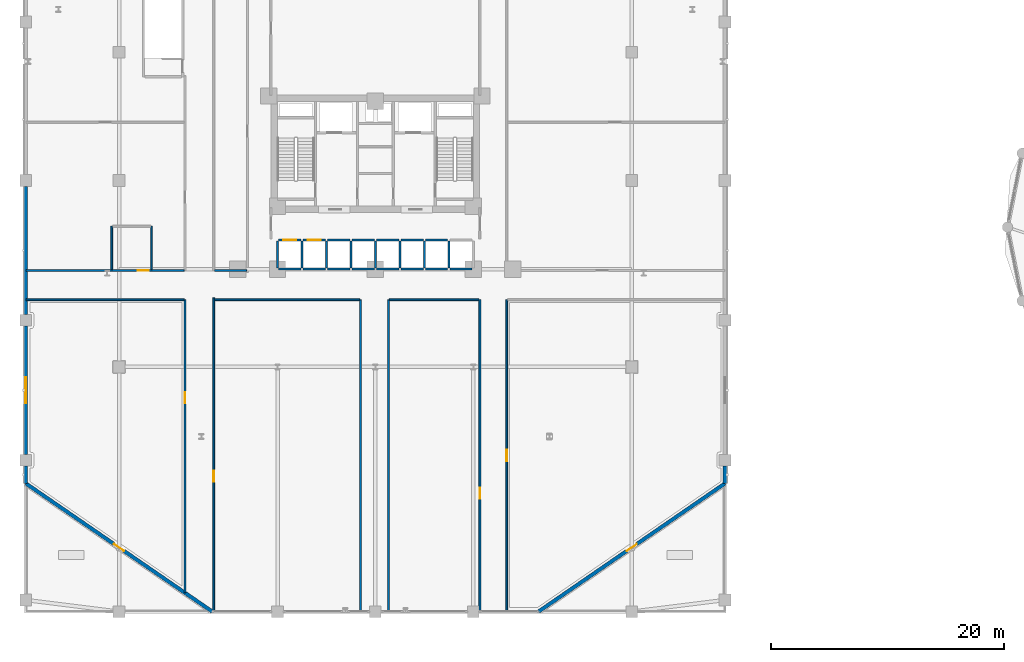
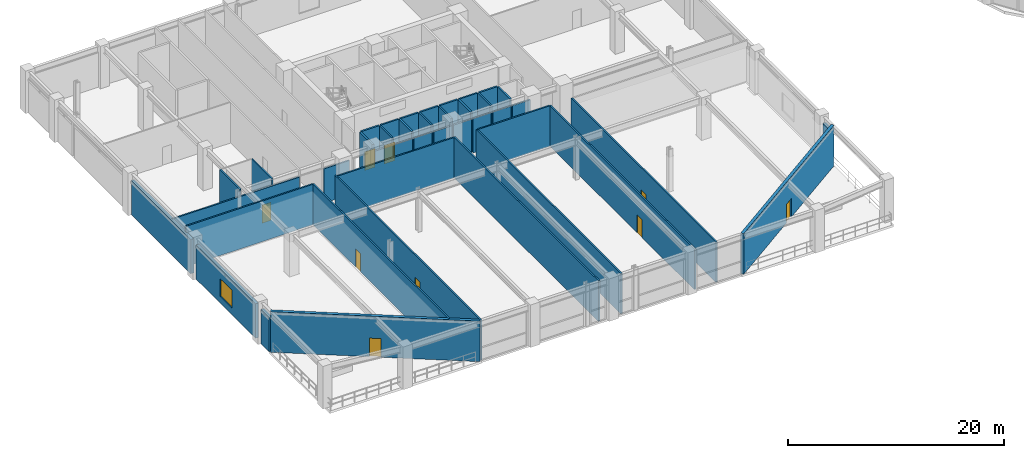
# One storey, part 15 of 26: 42 walls, 9 doors, 1 window, 10 openings.
"""IFC4 building model written with IfcOpenShell, lengths in metres."""

from ifc_helpers import new_model, si_unit, derived_unit, direction, frame, frame_2d, origin, place, context, subcontext, project, spatial, rectangle, extrude, material, layer, layer_set, type_object, element, fill, save


model = new_model("IFC4")

# Units and contexts
model_context = context("Model", 3, precision=1e-05, world=origin(), true_north=direction((0.0, 1.0)))
body_context = subcontext(model_context, "Body", "Model", "MODEL_VIEW")
ifc_project = project(units=[si_unit("LENGTHUNIT", "METRE"), si_unit("AREAUNIT", "SQUARE_METRE"), si_unit("VOLUMEUNIT", "CUBIC_METRE"), si_unit("PLANEANGLEUNIT", "RADIAN"), si_unit("MASSUNIT", "GRAM", prefix="KILO"), derived_unit("THERMALTRANSMITTANCEUNIT", [(si_unit("POWERUNIT", "WATT"), 1), (si_unit("LENGTHUNIT", "METRE"), -2), (si_unit("THERMODYNAMICTEMPERATUREUNIT", "KELVIN"), -1)])], contexts=[model_context])

# Site, building, storey
site_placement = place(None, origin())
site = spatial("IfcSite", under=ifc_project, at=site_placement, CompositionType="ELEMENT")
building_placement = place(site_placement, origin())
building = spatial("IfcBuilding", under=site, at=building_placement, Name="Korsvarv Bourse and Concert Hall", CompositionType="ELEMENT")
storey_placement = place(building_placement, frame((0.0, 0.0, 19.199951171875)))
storey = spatial("IfcBuildingStorey", under=building, at=storey_placement, Name="L04", CompositionType="ELEMENT", Elevation=19.199951171875)

# Wall, opening, door
ifc_material_1 = material(Name="Precast concrete C45/55 with granite and terracotta", Category="concrete")
ifc_layer_1 = layer(ifc_material_1, 0.320068359375)
ifc_layer_set_1 = layer_set([ifc_layer_1], Name="Precast concrete C45/55 with granite and terracotta")
wall_type_1 = type_object("IfcWallType", Name="WL-EXT-POD", PredefinedType="SOLIDWALL", material=ifc_layer_set_1)
wall_1_placement = place(storey_placement, frame((6.0, 14.0, 0.0), z_axis=(0.0, 0.0, 1.0), x_axis=(0.824041924199, -0.566528822887, 0.0)))
wall_1 = element("IfcWall", 1, at=wall_1_placement, inside=storey, type_object=wall_type_1, Name="L04 terracotta exterior wall EW-L04-G1", PredefinedType="SOLIDWALL", context=body_context, shape_type="SweptSolid", body=[
    extrude(rectangle(XDim=19.41650390625, YDim=0.320068359375, at=frame_2d((9.708251953125, 0.0))), origin(), (0.0, 0.0, 1.0), 4.580078125),
])
opening_1_placement = place(wall_1_placement, frame((9.18310546875, 0.0, 0.0)))
opening_1 = element("IfcOpeningElement", 2, at=opening_1_placement, cuts=wall_1, Name="Opening ED-02", PredefinedType="OPENING", context=body_context, shape_type="SweptSolid", body=[
    extrude(rectangle(XDim=1.050048828125, YDim=2.10009765625, at=frame_2d((0.52490234375, 1.050048828125))), frame((0.0, 0.169921875, 0.0), z_axis=(0.0, -1.0, 0.0), x_axis=(1.0, 0.0, 0.0)), (0.0, 0.0, 1.0), 0.340087890625),
])
ifc_material_2 = material(Name="Thermally broken anodised aluminium and laminated safety glass", Category="aluminium")
door_type_1 = type_object("IfcDoorType", Name="DR-EXT-TERR", OperationType="NOTDEFINED", PredefinedType="DOOR", material=ifc_material_2)
door_1_placement = place(opening_1_placement, frame((1.050048828125, 0.0, 0.0), z_axis=(0.0, 0.0, 1.0), x_axis=(-1.0, 0.0, 0.0)))
door_1 = element("IfcDoor", 3, at=door_1_placement, inside=storey, type_object=door_type_1, Name="L04 Raised Public Garden Access Door 1", OperationType="SINGLE_SWING_LEFT", OverallHeight=2.10009765625, OverallWidth=1.050048828125, PredefinedType="DOOR", context=body_context, shape_type="SweptSolid", body=[
    extrude(rectangle(XDim=1.050048828125, YDim=2.10009765625, at=frame_2d((0.52490234375, 1.050048828125))), frame((0.0, 0.02490234375, 0.0), z_axis=(0.0, -1.0, 0.0), x_axis=(1.0, 0.0, 0.0)), (0.0, 0.0, 1.0), 0.050048828125),
])
fill(opening_1, door_1)

wall_2_placement = place(storey_placement, frame((50.0, 3.0, 0.0), z_axis=(0.0, 0.0, 1.0), x_axis=(0.824041924199, 0.566528822887, 0.0)))
wall_2 = element("IfcWall", 4, at=wall_2_placement, inside=storey, type_object=wall_type_1, Name="L04 terracotta exterior wall EW-L04-G3", PredefinedType="SOLIDWALL", context=body_context, shape_type="SweptSolid", body=[
    extrude(rectangle(XDim=19.41650390625, YDim=0.320068359375, at=frame_2d((9.708251953125, 0.0))), origin(), (0.0, 0.0, 1.0), 4.580078125),
])
opening_2_placement = place(wall_2_placement, frame((9.18310546875, 0.0, 0.0)))
opening_2 = element("IfcOpeningElement", 5, at=opening_2_placement, cuts=wall_2, Name="Opening ED-02", PredefinedType="OPENING", context=body_context, shape_type="SweptSolid", body=[
    extrude(rectangle(XDim=1.050048828125, YDim=2.10009765625, at=frame_2d((0.52490234375, 1.050048828125))), frame((0.0, 0.169921875, 0.0), z_axis=(0.0, -1.0, 0.0), x_axis=(1.0, 0.0, 0.0)), (0.0, 0.0, 1.0), 0.340087890625),
])
door_2_placement = place(opening_2_placement, frame((1.050048828125, 0.0, 0.0), z_axis=(0.0, 0.0, 1.0), x_axis=(-1.0, 0.0, 0.0)))
door_2 = element("IfcDoor", 6, at=door_2_placement, inside=storey, type_object=door_type_1, Name="L04 Raised Public Garden Access Door 3", OperationType="SINGLE_SWING_RIGHT", OverallHeight=2.10009765625, OverallWidth=1.050048828125, PredefinedType="DOOR", context=body_context, shape_type="SweptSolid", body=[
    extrude(rectangle(XDim=1.050048828125, YDim=2.10009765625, at=frame_2d((0.52490234375, 1.050048828125))), frame((0.0, 0.02490234375, 0.0), z_axis=(0.0, -1.0, 0.0), x_axis=(1.0, 0.0, 0.0)), (0.0, 0.0, 1.0), 0.050048828125),
])
fill(opening_2, door_2)

# Walls
wall_3_placement = place(storey_placement, frame((66.0, 14.0, 0.0), z_axis=(0.0, 0.0, 1.0), x_axis=(0.0, 1.0, 0.0)))
element("IfcWall", 7, at=wall_3_placement, inside=storey, type_object=wall_type_1, Name="L04 terracotta exterior wall EW-L04-G4-1", PredefinedType="SOLIDWALL", context=body_context, shape_type="SweptSolid", body=[
    extrude(rectangle(XDim=1.4951171875, YDim=0.320068359375, at=frame_2d((0.74755859375, 0.0))), origin(), (0.0, 0.0, 1.0), 3.880126953125),
])
wall_4_placement = place(storey_placement, frame((6.0, 39.4951171875, 0.0), z_axis=(0.0, 0.0, 1.0), x_axis=(0.0, -1.0, 0.0)))
element("IfcWall", 8, at=wall_4_placement, inside=storey, type_object=wall_type_1, Name="L04 terracotta exterior wall EW-L04-G6-4", PredefinedType="SOLIDWALL", context=body_context, shape_type="SweptSolid", body=[
    extrude(rectangle(XDim=10.990234375, YDim=0.320068359375, at=frame_2d((5.4951171875, 0.0))), origin(), (0.0, 0.0, 1.0), 3.880126953125),
])

# Wall, opening, window
wall_5_placement = place(storey_placement, frame((6.0, 27.4951171875, 0.0), z_axis=(0.0, 0.0, 1.0), x_axis=(0.0, -1.0, 0.0)))
wall_5 = element("IfcWall", 9, at=wall_5_placement, inside=storey, type_object=wall_type_1, Name="L04 terracotta exterior wall EW-L04-G6-5", PredefinedType="SOLIDWALL", context=body_context, shape_type="SweptSolid", body=[
    extrude(rectangle(XDim=10.990234375, YDim=0.320068359375, at=frame_2d((5.4951171875, 0.0))), origin(), (0.0, 0.0, 1.0), 3.880126953125),
])
opening_3_placement = place(wall_5_placement, frame((4.39501953125, 0.0, 0.75)))
opening_3 = element("IfcOpeningElement", 10, at=opening_3_placement, cuts=wall_5, Name="Opening W-03", PredefinedType="OPENING", context=body_context, shape_type="SweptSolid", body=[
    extrude(rectangle(XDim=2.199951171875, YDim=2.0, at=frame_2d((1.10009765625, 1.0))), frame((0.0, 0.169921875, 0.0), z_axis=(0.0, -1.0, 0.0), x_axis=(1.0, 0.0, 0.0)), (0.0, 0.0, 1.0), 0.340087890625),
])
ifc_material_3 = material(Name="Thermally broken aluminium frame with triple low-E glass", Category="glass")
window_type = type_object("IfcWindowType", Name="WIN-POD1", PartitioningType="SINGLE_PANEL", PredefinedType="WINDOW", material=ifc_material_3)
window_placement = place(opening_3_placement, origin())
window = element("IfcWindow", 11, at=window_placement, inside=storey, type_object=window_type, Name="L04 punched facade window W-03", OverallHeight=2.0, OverallWidth=2.199951171875, PartitioningType="SINGLE_PANEL", PredefinedType="WINDOW", context=body_context, shape_type="SweptSolid", body=[
    extrude(rectangle(XDim=2.199951171875, YDim=2.0, at=frame_2d((1.10009765625, 1.0))), frame((0.0, 0.030029296875, 0.0), z_axis=(0.0, -1.0, 0.0), x_axis=(1.0, 0.0, 0.0)), (0.0, 0.0, 1.0), 0.06005859375),
])
fill(opening_3, window)

# Wall
wall_6_placement = place(storey_placement, frame((6.0, 15.4951171875, 0.0), z_axis=(0.0, 0.0, 1.0), x_axis=(0.0, -1.0, 0.0)))
element("IfcWall", 12, at=wall_6_placement, inside=storey, type_object=wall_type_1, Name="L04 terracotta exterior wall EW-L04-G6-6", PredefinedType="SOLIDWALL", context=body_context, shape_type="SweptSolid", body=[
    extrude(rectangle(XDim=1.4951171875, YDim=0.320068359375, at=frame_2d((0.74755859375, 0.0))), origin(), (0.0, 0.0, 1.0), 3.880126953125),
])

# Wall, opening, door
ifc_material_4 = material(Name="Double-stud fire-rated acoustic partition", Category="gypsum")
ifc_layer_2 = layer(ifc_material_4, 0.159912109375)
ifc_layer_set_2 = layer_set([ifc_layer_2], Name="Double-stud fire-rated acoustic partition")
wall_type_2 = type_object("IfcWallType", Name="WL-INT-EI60", PredefinedType="PARTITIONING", material=ifc_layer_set_2)
wall_7_placement = place(storey_placement, frame((22.124755859375, 3.02001953125, 0.0), z_axis=(0.0, 0.0, 1.0), x_axis=(9.072517e-06, 0.999999999959, 0.0)))
wall_7 = element("IfcWall", 13, at=wall_7_placement, inside=storey, type_object=wall_type_2, Name="L04 interior partition wall W-L04-PCOR-01", PredefinedType="PARTITIONING", context=body_context, shape_type="SweptSolid", body=[
    extrude(rectangle(XDim=26.909912109375, YDim=0.159912109375, at=frame_2d((13.455078125, 0.0))), origin(), (0.0, 0.0, 1.0), 4.580078125),
])
opening_4_placement = place(wall_7_placement, frame((11.140380859375, 0.0, 0.0)))
opening_4 = element("IfcOpeningElement", 14, at=opening_4_placement, cuts=wall_7, Name="Opening D-02", PredefinedType="OPENING", context=body_context, shape_type="SweptSolid", body=[
    extrude(rectangle(XDim=0.949951171875, YDim=2.050048828125, at=frame_2d((0.47509765625, 1.02490234375))), frame((0.0, 0.08984375, 0.0), z_axis=(0.0, -1.0, 0.0), x_axis=(1.0, 0.0, 0.0)), (0.0, 0.0, 1.0), 0.179931640625),
])
ifc_material_5 = material(Name="Timber and steel acoustic fire door", Category="wood")
door_type_2 = type_object("IfcDoorType", Name="DR-FD30", OperationType="NOTDEFINED", PredefinedType="DOOR", material=ifc_material_5)
door_3_placement = place(opening_4_placement, origin())
door_3 = element("IfcDoor", 15, at=door_3_placement, inside=storey, type_object=door_type_2, Name="L04 interior door DR-L04-PCOR-RM66", OperationType="SINGLE_SWING_RIGHT", OverallHeight=2.050048828125, OverallWidth=0.949951171875, PredefinedType="DOOR", context=body_context, shape_type="SweptSolid", body=[
    extrude(rectangle(XDim=0.949951171875, YDim=2.050048828125, at=frame_2d((0.47509765625, 1.02490234375))), frame((0.0, 0.02490234375, 0.0), z_axis=(0.0, -1.0, 0.0), x_axis=(1.0, 0.0, 0.0)), (0.0, 0.0, 1.0), 0.050048828125),
])
fill(opening_4, door_3)

wall_8_placement = place(storey_placement, frame((47.27490234375, 3.02001953125, 0.0), z_axis=(0.0, 0.0, 1.0), x_axis=(0.0, 1.0, 0.0)))
wall_8 = element("IfcWall", 16, at=wall_8_placement, inside=storey, type_object=wall_type_2, Name="L04 interior partition wall W-L04-PCOR-03", PredefinedType="PARTITIONING", context=body_context, shape_type="SweptSolid", body=[
    extrude(rectangle(XDim=26.760009765625, YDim=0.159912109375, at=frame_2d((13.3798828125, 0.0))), origin(), (0.0, 0.0, 1.0), 4.580078125),
])
opening_5_placement = place(wall_8_placement, frame((12.905029296875, 0.0, 0.0)))
opening_5 = element("IfcOpeningElement", 17, at=opening_5_placement, cuts=wall_8, Name="Opening D-02", PredefinedType="OPENING", context=body_context, shape_type="SweptSolid", body=[
    extrude(rectangle(XDim=0.949951171875, YDim=2.050048828125, at=frame_2d((0.47509765625, 1.02490234375))), frame((0.0, 0.08984375, 0.0), z_axis=(0.0, -1.0, 0.0), x_axis=(1.0, 0.0, 0.0)), (0.0, 0.0, 1.0), 0.179931640625),
])
door_4_placement = place(opening_5_placement, origin())
door_4 = element("IfcDoor", 18, at=door_4_placement, inside=storey, type_object=door_type_2, Name="L04 interior door DR-L04-PCOR-CONF3", OperationType="SINGLE_SWING_RIGHT", OverallHeight=2.050048828125, OverallWidth=0.949951171875, PredefinedType="DOOR", context=body_context, shape_type="SweptSolid", body=[
    extrude(rectangle(XDim=0.949951171875, YDim=2.050048828125, at=frame_2d((0.47509765625, 1.02490234375))), frame((0.0, 0.02490234375, 0.0), z_axis=(0.0, -1.0, 0.0), x_axis=(1.0, 0.0, 0.0)), (0.0, 0.0, 1.0), 0.050048828125),
])
fill(opening_5, door_4)

wall_9_placement = place(storey_placement, frame((44.965087890625, 3.02001953125, 0.0), z_axis=(0.0, 0.0, 1.0), x_axis=(0.0, 1.0, 0.0)))
wall_9 = element("IfcWall", 19, at=wall_9_placement, inside=storey, type_object=wall_type_2, Name="L04 interior partition wall W-L04-PCOR-04", PredefinedType="PARTITIONING", context=body_context, shape_type="SweptSolid", body=[
    extrude(rectangle(XDim=26.760009765625, YDim=0.159912109375, at=frame_2d((13.3798828125, 0.0))), origin(), (0.0, 0.0, 1.0), 4.580078125),
])
opening_6_placement = place(wall_9_placement, frame((9.650390625, 0.0, 0.0)))
opening_6 = element("IfcOpeningElement", 20, at=opening_6_placement, cuts=wall_9, Name="Opening D-02", PredefinedType="OPENING", context=body_context, shape_type="SweptSolid", body=[
    extrude(rectangle(XDim=0.949951171875, YDim=2.050048828125, at=frame_2d((0.47509765625, 1.02490234375))), frame((0.0, 0.08984375, 0.0), z_axis=(0.0, -1.0, 0.0), x_axis=(1.0, 0.0, 0.0)), (0.0, 0.0, 1.0), 0.179931640625),
])
door_5_placement = place(opening_6_placement, origin())
door_5 = element("IfcDoor", 21, at=door_5_placement, inside=storey, type_object=door_type_2, Name="L04 interior door DR-L04-PCOR-EXH4", OperationType="SINGLE_SWING_LEFT", OverallHeight=2.050048828125, OverallWidth=0.949951171875, PredefinedType="DOOR", context=body_context, shape_type="SweptSolid", body=[
    extrude(rectangle(XDim=0.949951171875, YDim=2.050048828125, at=frame_2d((0.47509765625, 1.02490234375))), frame((0.0, 0.02490234375, 0.0), z_axis=(0.0, -1.0, 0.0), x_axis=(1.0, 0.0, 0.0)), (0.0, 0.0, 1.0), 0.050048828125),
])
fill(opening_6, door_5)

# Walls
for number, where, z_axis, x_axis, name in (
    (22, (37.125, 3.02001953125, 0.0), (0.0, 0.0, 1.0), (0.0, 1.0, 0.0), "L04 interior partition wall W-L04-PCOR-05"),
    (23, (34.72509765625, 3.02001953125, 0.0), (0.0, 0.0, 1.0), (0.0, 1.0, 0.0), "L04 interior partition wall W-L04-PCOR-06"),
):
    element("IfcWall", number, at=place(storey_placement, frame(where, z_axis=z_axis, x_axis=x_axis)), inside=storey, type_object=wall_type_2, Name=name, PredefinedType="PARTITIONING", context=body_context, shape_type="SweptSolid", body=[
        extrude(rectangle(XDim=26.760009765625, YDim=0.159912109375, at=frame_2d((13.3798828125, 0.0))), origin(), (0.0, 0.0, 1.0), 4.580078125),
    ])

# Wall, opening, door
wall_10_placement = place(storey_placement, frame((19.6650390625, 4.625244140625, 0.0), z_axis=(0.0, 0.0, 1.0), x_axis=(0.0, 1.0, 0.0)))
wall_10 = element("IfcWall", 24, at=wall_10_placement, inside=storey, type_object=wall_type_2, Name="L04 interior partition wall W-L04-PCOR-09", PredefinedType="PARTITIONING", context=body_context, shape_type="SweptSolid", body=[
    extrude(rectangle(XDim=25.15478515625, YDim=0.159912109375, at=frame_2d((12.577392578125, 0.0))), origin(), (0.0, 0.0, 1.0), 4.580078125),
])
opening_7_placement = place(wall_10_placement, frame((16.2626953125, 0.0, 0.0)))
opening_7 = element("IfcOpeningElement", 25, at=opening_7_placement, cuts=wall_10, Name="Opening D-02", PredefinedType="OPENING", context=body_context, shape_type="SweptSolid", body=[
    extrude(rectangle(XDim=0.949951171875, YDim=2.050048828125, at=frame_2d((0.47509765625, 1.02490234375))), frame((0.0, 0.08984375, 0.0), z_axis=(0.0, -1.0, 0.0), x_axis=(1.0, 0.0, 0.0)), (0.0, 0.0, 1.0), 0.179931640625),
])
door_6_placement = place(opening_7_placement, origin())
door_6 = element("IfcDoor", 26, at=door_6_placement, inside=storey, type_object=door_type_2, Name="L04 interior door DR-L04-PCOR-CAFE8", OperationType="SINGLE_SWING_RIGHT", OverallHeight=2.050048828125, OverallWidth=0.949951171875, PredefinedType="DOOR", context=body_context, shape_type="SweptSolid", body=[
    extrude(rectangle(XDim=0.949951171875, YDim=2.050048828125, at=frame_2d((0.47509765625, 1.02490234375))), frame((0.0, 0.02490234375, 0.0), z_axis=(0.0, -1.0, 0.0), x_axis=(1.0, 0.0, 0.0)), (0.0, 0.0, 1.0), 0.050048828125),
])
fill(opening_7, door_6)

wall_11_placement = place(storey_placement, frame((6.02001953125, 32.27490234375, 0.0), z_axis=(0.0, 0.0, 1.0), x_axis=(1.0, 0.0, 0.0)))
wall_11 = element("IfcWall", 27, at=wall_11_placement, inside=storey, type_object=wall_type_2, Name="L04 interior partition wall W-L04-PCOR-13", PredefinedType="PARTITIONING", context=body_context, shape_type="SweptSolid", body=[
    extrude(rectangle(XDim=13.56298828125, YDim=0.159912109375, at=frame_2d((6.781494140625, 0.0))), origin(), (0.0, 0.0, 1.0), 3.880126953125),
])
opening_8_placement = place(wall_11_placement, frame((9.590087890625, 0.0, 0.0)))
opening_8 = element("IfcOpeningElement", 28, at=opening_8_placement, cuts=wall_11, Name="Opening D-02", PredefinedType="OPENING", context=body_context, shape_type="SweptSolid", body=[
    extrude(rectangle(XDim=0.949951171875, YDim=2.050048828125, at=frame_2d((0.47509765625, 1.02490234375))), frame((0.0, 0.08984375, 0.0), z_axis=(0.0, -1.0, 0.0), x_axis=(1.0, 0.0, 0.0)), (0.0, 0.0, 1.0), 0.179931640625),
])
door_7_placement = place(opening_8_placement, origin())
door_7 = element("IfcDoor", 29, at=door_7_placement, inside=storey, type_object=door_type_2, Name="L04 interior door DR-L04-PCOR-RWC", OperationType="SINGLE_SWING_LEFT", OverallHeight=2.050048828125, OverallWidth=0.949951171875, PredefinedType="DOOR", context=body_context, shape_type="SweptSolid", body=[
    extrude(rectangle(XDim=0.949951171875, YDim=2.050048828125, at=frame_2d((0.47509765625, 1.02490234375))), frame((0.0, 0.02490234375, 0.0), z_axis=(0.0, -1.0, 0.0), x_axis=(1.0, 0.0, 0.0)), (0.0, 0.0, 1.0), 0.050048828125),
])
fill(opening_8, door_7)

# Walls
wall_12_placement = place(storey_placement, frame((6.02001953125, 29.77490234375, 0.0), z_axis=(0.0, 0.0, 1.0), x_axis=(1.0, 0.0, 0.0)))
element("IfcWall", 30, at=wall_12_placement, inside=storey, type_object=wall_type_2, Name="L04 interior partition wall W-L04-PCOR-14", PredefinedType="PARTITIONING", context=body_context, shape_type="SweptSolid", body=[
    extrude(rectangle(XDim=13.56298828125, YDim=0.159912109375, at=frame_2d((6.781494140625, 0.0))), origin(), (0.0, 0.0, 1.0), 4.580078125),
])
wall_13_placement = place(storey_placement, frame((22.20703125, 29.77490234375, 0.0), z_axis=(0.0, 0.0, 1.0), x_axis=(1.0, 0.0, 0.0)))
element("IfcWall", 31, at=wall_13_placement, inside=storey, type_object=wall_type_2, Name="L04 interior partition wall W-L04-PCOR-15", PredefinedType="PARTITIONING", context=body_context, shape_type="SweptSolid", body=[
    extrude(rectangle(XDim=12.43603515625, YDim=0.159912109375, at=frame_2d((6.218017578125, 0.0))), origin(), (0.0, 0.0, 1.0), 4.580078125),
])
wall_14_placement = place(storey_placement, frame((37.20703125, 29.77490234375, 0.0), z_axis=(0.0, 0.0, 1.0), x_axis=(1.0, 0.0, 0.0)))
element("IfcWall", 32, at=wall_14_placement, inside=storey, type_object=wall_type_2, Name="L04 interior partition wall W-L04-PCOR-18", PredefinedType="PARTITIONING", context=body_context, shape_type="SweptSolid", body=[
    extrude(rectangle(XDim=7.676025390625, YDim=0.159912109375, at=frame_2d((3.837890625, 0.0))), origin(), (0.0, 0.0, 1.0), 4.580078125),
])
wall_15_placement = place(storey_placement, frame((22.20703125, 32.27490234375, 0.0), z_axis=(0.0, 0.0, 1.0), x_axis=(1.0, 0.0, 0.0)))
element("IfcWall", 33, at=wall_15_placement, inside=storey, type_object=wall_type_2, Name="L04 interior partition wall W-L04-PCOR-20", PredefinedType="PARTITIONING", context=body_context, shape_type="SweptSolid", body=[
    extrude(rectangle(XDim=2.736083984375, YDim=0.159912109375, at=frame_2d((1.3681640625, 0.0))), origin(), (0.0, 0.0, 1.0), 3.880126953125),
])

# Wall, opening, door
ifc_material_6 = material(Name="Gypsum-clad autoclaved concrete shaft wall C30/37", Category="concrete")
ifc_layer_3 = layer(ifc_material_6, 0.179931640625)
ifc_layer_set_3 = layer_set([ifc_layer_3], Name="Gypsum-clad autoclaved concrete shaft wall C30/37")
wall_type_3 = type_object("IfcWallType", Name="WL-INT-EI90", PredefinedType="PARTITIONING", material=ifc_layer_set_3)
wall_16_placement = place(storey_placement, frame((27.68994140625, 34.89990234375, 0.0), z_axis=(0.0, 0.0, 1.0), x_axis=(1.0, 0.0, 0.0)))
wall_16 = element("IfcWall", 34, at=wall_16_placement, inside=storey, type_object=wall_type_3, Name="L04 interior partition wall W-L04-SHFN-PL1", PredefinedType="PARTITIONING", context=body_context, shape_type="SweptSolid", body=[
    extrude(rectangle(XDim=1.920166015625, YDim=0.179931640625, at=frame_2d((0.9599609375, 0.0))), origin(), (0.0, 0.0, 1.0), 4.580078125),
])
opening_9_placement = place(wall_16_placement, frame((0.409912109375, 0.0, 0.0)))
opening_9 = element("IfcOpeningElement", 35, at=opening_9_placement, cuts=wall_16, Name="Opening LD-2", PredefinedType="OPENING", context=body_context, shape_type="SweptSolid", body=[
    extrude(rectangle(XDim=1.10009765625, YDim=2.10009765625, at=frame_2d((0.550048828125, 1.050048828125))), frame((0.0, 0.10009765625, 0.0), z_axis=(0.0, -1.0, 0.0), x_axis=(1.0, 0.0, 0.0)), (0.0, 0.0, 1.0), 0.199951171875),
])
ifc_material_7 = material(Name="Brushed stainless Steel S355 lift landing door", Category="steel")
door_type_3 = type_object("IfcDoorType", Name="DR-LIFT-P", OperationType="DOUBLE_DOOR_SLIDING", PredefinedType="DOOR", material=ifc_material_7)
door_8_placement = place(opening_9_placement, origin())
door_8 = element("IfcDoor", 36, at=door_8_placement, inside=storey, type_object=door_type_3, Name="L04 lift sliding landing door LD-L04-PL1", OperationType="DOUBLE_DOOR_SLIDING", OverallHeight=2.10009765625, OverallWidth=1.10009765625, PredefinedType="DOOR", context=body_context, shape_type="SweptSolid", body=[
    extrude(rectangle(XDim=1.10009765625, YDim=2.10009765625, at=frame_2d((0.550048828125, 1.050048828125))), frame((0.0, 0.02490234375, 0.0), z_axis=(0.0, -1.0, 0.0), x_axis=(1.0, 0.0, 0.0)), (0.0, 0.0, 1.0), 0.050048828125),
])
fill(opening_9, door_8)

# Walls
wall_17_placement = place(storey_placement, frame((27.68994140625, 32.39990234375, 0.0), z_axis=(0.0, 0.0, 1.0), x_axis=(1.0, 0.0, 0.0)))
element("IfcWall", 37, at=wall_17_placement, inside=storey, type_object=wall_type_3, Name="L04 interior partition wall W-L04-SHFS-PL1", PredefinedType="PARTITIONING", context=body_context, shape_type="SweptSolid", body=[
    extrude(rectangle(XDim=1.920166015625, YDim=0.179931640625, at=frame_2d((0.9599609375, 0.0))), origin(), (0.0, 0.0, 1.0), 3.880126953125),
])
wall_18_placement = place(storey_placement, frame((27.60009765625, 32.489990234375, 0.0), z_axis=(0.0, 0.0, 1.0), x_axis=(0.0, 1.0, 0.0)))
element("IfcWall", 38, at=wall_18_placement, inside=storey, type_object=wall_type_3, Name="L04 interior partition wall W-L04-SHFW-PL1", PredefinedType="PARTITIONING", context=body_context, shape_type="SweptSolid", body=[
    extrude(rectangle(XDim=2.320068359375, YDim=0.179931640625, at=frame_2d((1.16015625, 0.0))), origin(), (0.0, 0.0, 1.0), 4.580078125),
])

# Wall, opening, door
wall_19_placement = place(storey_placement, frame((29.7900390625, 34.89990234375, 0.0), z_axis=(0.0, 0.0, 1.0), x_axis=(1.0, 0.0, 0.0)))
wall_19 = element("IfcWall", 39, at=wall_19_placement, inside=storey, type_object=wall_type_3, Name="L04 interior partition wall W-L04-SHFN-PL2", PredefinedType="PARTITIONING", context=body_context, shape_type="SweptSolid", body=[
    extrude(rectangle(XDim=1.919921875, YDim=0.179931640625, at=frame_2d((0.9599609375, 0.0))), origin(), (0.0, 0.0, 1.0), 4.580078125),
])
opening_10_placement = place(wall_19_placement, frame((0.409912109375, 0.0, 0.0)))
opening_10 = element("IfcOpeningElement", 40, at=opening_10_placement, cuts=wall_19, Name="Opening LD-2", PredefinedType="OPENING", context=body_context, shape_type="SweptSolid", body=[
    extrude(rectangle(XDim=1.10009765625, YDim=2.10009765625, at=frame_2d((0.550048828125, 1.050048828125))), frame((0.0, 0.10009765625, 0.0), z_axis=(0.0, -1.0, 0.0), x_axis=(1.0, 0.0, 0.0)), (0.0, 0.0, 1.0), 0.199951171875),
])
door_9_placement = place(opening_10_placement, origin())
door_9 = element("IfcDoor", 41, at=door_9_placement, inside=storey, type_object=door_type_3, Name="L04 lift sliding landing door LD-L04-PL2", OperationType="DOUBLE_DOOR_SLIDING", OverallHeight=2.10009765625, OverallWidth=1.10009765625, PredefinedType="DOOR", context=body_context, shape_type="SweptSolid", body=[
    extrude(rectangle(XDim=1.10009765625, YDim=2.10009765625, at=frame_2d((0.550048828125, 1.050048828125))), frame((0.0, 0.02490234375, 0.0), z_axis=(0.0, -1.0, 0.0), x_axis=(1.0, 0.0, 0.0)), (0.0, 0.0, 1.0), 0.050048828125),
])
fill(opening_10, door_9)

# Walls
wall_20_placement = place(storey_placement, frame((29.7900390625, 32.39990234375, 0.0), z_axis=(0.0, 0.0, 1.0), x_axis=(1.0, 0.0, 0.0)))
element("IfcWall", 42, at=wall_20_placement, inside=storey, type_object=wall_type_3, Name="L04 interior partition wall W-L04-SHFS-PL2", PredefinedType="PARTITIONING", context=body_context, shape_type="SweptSolid", body=[
    extrude(rectangle(XDim=1.919921875, YDim=0.179931640625, at=frame_2d((0.9599609375, 0.0))), origin(), (0.0, 0.0, 1.0), 3.880126953125),
])
wall_21_placement = place(storey_placement, frame((29.699951171875, 32.489990234375, 0.0), z_axis=(0.0, 0.0, 1.0), x_axis=(0.0, 1.0, 0.0)))
element("IfcWall", 43, at=wall_21_placement, inside=storey, type_object=wall_type_3, Name="L04 interior partition wall W-L04-SHFW-PL2", PredefinedType="PARTITIONING", context=body_context, shape_type="SweptSolid", body=[
    extrude(rectangle(XDim=2.320068359375, YDim=0.179931640625, at=frame_2d((1.16015625, 0.0))), origin(), (0.0, 0.0, 1.0), 4.580078125),
])
wall_22_placement = place(storey_placement, frame((31.889892578125, 34.89990234375, 0.0), z_axis=(0.0, 0.0, 1.0), x_axis=(1.0, 0.0, 0.0)))
element("IfcWall", 44, at=wall_22_placement, inside=storey, type_object=wall_type_3, Name="L04 interior partition wall W-L04-SHFN-PM1", PredefinedType="PARTITIONING", context=body_context, shape_type="SweptSolid", body=[
    extrude(rectangle(XDim=1.920166015625, YDim=0.179931640625, at=frame_2d((0.9599609375, 0.0))), origin(), (0.0, 0.0, 1.0), 4.580078125),
])
wall_23_placement = place(storey_placement, frame((31.889892578125, 32.39990234375, 0.0), z_axis=(0.0, 0.0, 1.0), x_axis=(1.0, 0.0, 0.0)))
element("IfcWall", 45, at=wall_23_placement, inside=storey, type_object=wall_type_3, Name="L04 interior partition wall W-L04-SHFS-PM1", PredefinedType="PARTITIONING", context=body_context, shape_type="SweptSolid", body=[
    extrude(rectangle(XDim=1.920166015625, YDim=0.179931640625, at=frame_2d((0.9599609375, 0.0))), origin(), (0.0, 0.0, 1.0), 3.880126953125),
])
wall_24_placement = place(storey_placement, frame((31.800048828125, 32.489990234375, 0.0), z_axis=(0.0, 0.0, 1.0), x_axis=(0.0, 1.0, 0.0)))
element("IfcWall", 46, at=wall_24_placement, inside=storey, type_object=wall_type_3, Name="L04 interior partition wall W-L04-SHFW-PM1", PredefinedType="PARTITIONING", context=body_context, shape_type="SweptSolid", body=[
    extrude(rectangle(XDim=2.320068359375, YDim=0.179931640625, at=frame_2d((1.16015625, 0.0))), origin(), (0.0, 0.0, 1.0), 4.580078125),
])
wall_25_placement = place(storey_placement, frame((33.989990234375, 34.89990234375, 0.0), z_axis=(0.0, 0.0, 1.0), x_axis=(1.0, 0.0, 0.0)))
element("IfcWall", 47, at=wall_25_placement, inside=storey, type_object=wall_type_3, Name="L04 interior partition wall W-L04-SHFN-PM2", PredefinedType="PARTITIONING", context=body_context, shape_type="SweptSolid", body=[
    extrude(rectangle(XDim=1.919921875, YDim=0.179931640625, at=frame_2d((0.9599609375, 0.0))), origin(), (0.0, 0.0, 1.0), 4.580078125),
])
wall_26_placement = place(storey_placement, frame((33.989990234375, 32.39990234375, 0.0), z_axis=(0.0, 0.0, 1.0), x_axis=(1.0, 0.0, 0.0)))
element("IfcWall", 48, at=wall_26_placement, inside=storey, type_object=wall_type_3, Name="L04 interior partition wall W-L04-SHFS-PM2", PredefinedType="PARTITIONING", context=body_context, shape_type="SweptSolid", body=[
    extrude(rectangle(XDim=1.919921875, YDim=0.179931640625, at=frame_2d((0.9599609375, 0.0))), origin(), (0.0, 0.0, 1.0), 3.880126953125),
])
wall_27_placement = place(storey_placement, frame((33.89990234375, 32.489990234375, 0.0), z_axis=(0.0, 0.0, 1.0), x_axis=(0.0, 1.0, 0.0)))
element("IfcWall", 49, at=wall_27_placement, inside=storey, type_object=wall_type_3, Name="L04 interior partition wall W-L04-SHFW-PM2", PredefinedType="PARTITIONING", context=body_context, shape_type="SweptSolid", body=[
    extrude(rectangle(XDim=2.320068359375, YDim=0.179931640625, at=frame_2d((1.16015625, 0.0))), origin(), (0.0, 0.0, 1.0), 4.580078125),
])
wall_28_placement = place(storey_placement, frame((36.090087890625, 34.89990234375, 0.0), z_axis=(0.0, 0.0, 1.0), x_axis=(1.0, 0.0, 0.0)))
element("IfcWall", 50, at=wall_28_placement, inside=storey, type_object=wall_type_3, Name="L04 interior partition wall W-L04-SHFN-PH1", PredefinedType="PARTITIONING", context=body_context, shape_type="SweptSolid", body=[
    extrude(rectangle(XDim=1.919921875, YDim=0.179931640625, at=frame_2d((0.9599609375, 0.0))), origin(), (0.0, 0.0, 1.0), 4.580078125),
])
wall_29_placement = place(storey_placement, frame((36.090087890625, 32.39990234375, 0.0), z_axis=(0.0, 0.0, 1.0), x_axis=(1.0, 0.0, 0.0)))
element("IfcWall", 51, at=wall_29_placement, inside=storey, type_object=wall_type_3, Name="L04 interior partition wall W-L04-SHFS-PH1", PredefinedType="PARTITIONING", context=body_context, shape_type="SweptSolid", body=[
    extrude(rectangle(XDim=1.919921875, YDim=0.179931640625, at=frame_2d((0.9599609375, 0.0))), origin(), (0.0, 0.0, 1.0), 3.880126953125),
])
wall_30_placement = place(storey_placement, frame((36.0, 32.489990234375, 0.0), z_axis=(0.0, 0.0, 1.0), x_axis=(0.0, 1.0, 0.0)))
element("IfcWall", 52, at=wall_30_placement, inside=storey, type_object=wall_type_3, Name="L04 interior partition wall W-L04-SHFW-PH1", PredefinedType="PARTITIONING", context=body_context, shape_type="SweptSolid", body=[
    extrude(rectangle(XDim=2.320068359375, YDim=0.179931640625, at=frame_2d((1.16015625, 0.0))), origin(), (0.0, 0.0, 1.0), 4.580078125),
])
wall_31_placement = place(storey_placement, frame((38.18994140625, 34.89990234375, 0.0), z_axis=(0.0, 0.0, 1.0), x_axis=(1.0, 0.0, 0.0)))
element("IfcWall", 53, at=wall_31_placement, inside=storey, type_object=wall_type_3, Name="L04 interior partition wall W-L04-SHFN-PH2", PredefinedType="PARTITIONING", context=body_context, shape_type="SweptSolid", body=[
    extrude(rectangle(XDim=1.920166015625, YDim=0.179931640625, at=frame_2d((0.9599609375, 0.0))), origin(), (0.0, 0.0, 1.0), 4.580078125),
])
wall_32_placement = place(storey_placement, frame((38.18994140625, 32.39990234375, 0.0), z_axis=(0.0, 0.0, 1.0), x_axis=(1.0, 0.0, 0.0)))
element("IfcWall", 54, at=wall_32_placement, inside=storey, type_object=wall_type_3, Name="L04 interior partition wall W-L04-SHFS-PH2", PredefinedType="PARTITIONING", context=body_context, shape_type="SweptSolid", body=[
    extrude(rectangle(XDim=1.920166015625, YDim=0.179931640625, at=frame_2d((0.9599609375, 0.0))), origin(), (0.0, 0.0, 1.0), 3.880126953125),
])
wall_33_placement = place(storey_placement, frame((38.10009765625, 32.489990234375, 0.0), z_axis=(0.0, 0.0, 1.0), x_axis=(0.0, 1.0, 0.0)))
element("IfcWall", 55, at=wall_33_placement, inside=storey, type_object=wall_type_3, Name="L04 interior partition wall W-L04-SHFW-PH2", PredefinedType="PARTITIONING", context=body_context, shape_type="SweptSolid", body=[
    extrude(rectangle(XDim=2.320068359375, YDim=0.179931640625, at=frame_2d((1.16015625, 0.0))), origin(), (0.0, 0.0, 1.0), 4.580078125),
])
wall_34_placement = place(storey_placement, frame((40.2900390625, 34.89990234375, 0.0), z_axis=(0.0, 0.0, 1.0), x_axis=(1.0, 0.0, 0.0)))
element("IfcWall", 56, at=wall_34_placement, inside=storey, type_object=wall_type_3, Name="L04 interior partition wall W-L04-SHFN-PO1", PredefinedType="PARTITIONING", context=body_context, shape_type="SweptSolid", body=[
    extrude(rectangle(XDim=1.919921875, YDim=0.179931640625, at=frame_2d((0.9599609375, 0.0))), origin(), (0.0, 0.0, 1.0), 4.580078125),
])
wall_35_placement = place(storey_placement, frame((40.2900390625, 32.39990234375, 0.0), z_axis=(0.0, 0.0, 1.0), x_axis=(1.0, 0.0, 0.0)))
element("IfcWall", 57, at=wall_35_placement, inside=storey, type_object=wall_type_3, Name="L04 interior partition wall W-L04-SHFS-PO1", PredefinedType="PARTITIONING", context=body_context, shape_type="SweptSolid", body=[
    extrude(rectangle(XDim=1.919921875, YDim=0.179931640625, at=frame_2d((0.9599609375, 0.0))), origin(), (0.0, 0.0, 1.0), 3.880126953125),
])
wall_36_placement = place(storey_placement, frame((40.199951171875, 32.489990234375, 0.0), z_axis=(0.0, 0.0, 1.0), x_axis=(0.0, 1.0, 0.0)))
element("IfcWall", 58, at=wall_36_placement, inside=storey, type_object=wall_type_3, Name="L04 interior partition wall W-L04-SHFW-PO1", PredefinedType="PARTITIONING", context=body_context, shape_type="SweptSolid", body=[
    extrude(rectangle(XDim=2.320068359375, YDim=0.179931640625, at=frame_2d((1.16015625, 0.0))), origin(), (0.0, 0.0, 1.0), 4.580078125),
])
wall_37_placement = place(storey_placement, frame((42.389892578125, 32.39990234375, 0.0), z_axis=(0.0, 0.0, 1.0), x_axis=(1.0, 0.0, 0.0)))
element("IfcWall", 59, at=wall_37_placement, inside=storey, type_object=wall_type_3, Name="L04 interior partition wall W-L04-SHFS-PO2", PredefinedType="PARTITIONING", context=body_context, shape_type="SweptSolid", body=[
    extrude(rectangle(XDim=1.920166015625, YDim=0.179931640625, at=frame_2d((0.9599609375, 0.0))), origin(), (0.0, 0.0, 1.0), 3.880126953125),
])
wall_38_placement = place(storey_placement, frame((42.300048828125, 32.489990234375, 0.0), z_axis=(0.0, 0.0, 1.0), x_axis=(0.0, 1.0, 0.0)))
element("IfcWall", 60, at=wall_38_placement, inside=storey, type_object=wall_type_3, Name="L04 interior partition wall W-L04-SHFW-PO2", PredefinedType="PARTITIONING", context=body_context, shape_type="SweptSolid", body=[
    extrude(rectangle(XDim=2.320068359375, YDim=0.179931640625, at=frame_2d((1.16015625, 0.0))), origin(), (0.0, 0.0, 1.0), 4.580078125),
])
ifc_material_8 = material(Name="Insulated steel-stud office acoustic partition", Category="gypsum")
ifc_layer_4 = layer(ifc_material_8, 0.139892578125)
ifc_layer_set_4 = layer_set([ifc_layer_4], Name="Insulated steel-stud office acoustic partition")
wall_type_4 = type_object("IfcWallType", Name="WL-INT-P1", PredefinedType="PARTITIONING", material=ifc_layer_set_4)
for number, where, z_axis, x_axis, name in (
    (61, (13.375, 32.35693359375, 0.0), (0.0, 0.0, 1.0), (0.0, 1.0, 0.0), "L04 interior partition wall W-L04-PCOR-23"),
    (62, (16.77490234375, 32.35693359375, 0.0), (0.0, 0.0, 1.0), (0.0, 1.0, 0.0), "L04 interior partition wall W-L04-PCOR-24"),
):
    element("IfcWall", number, at=place(storey_placement, frame(where, z_axis=z_axis, x_axis=x_axis)), inside=storey, type_object=wall_type_4, Name=name, PredefinedType="PARTITIONING", context=body_context, shape_type="SweptSolid", body=[
        extrude(rectangle(XDim=3.72314453125, YDim=0.139892578125, at=frame_2d((1.861572265625, 0.0))), origin(), (0.0, 0.0, 1.0), 4.580078125),
    ])

save(model, "model.ifc")
